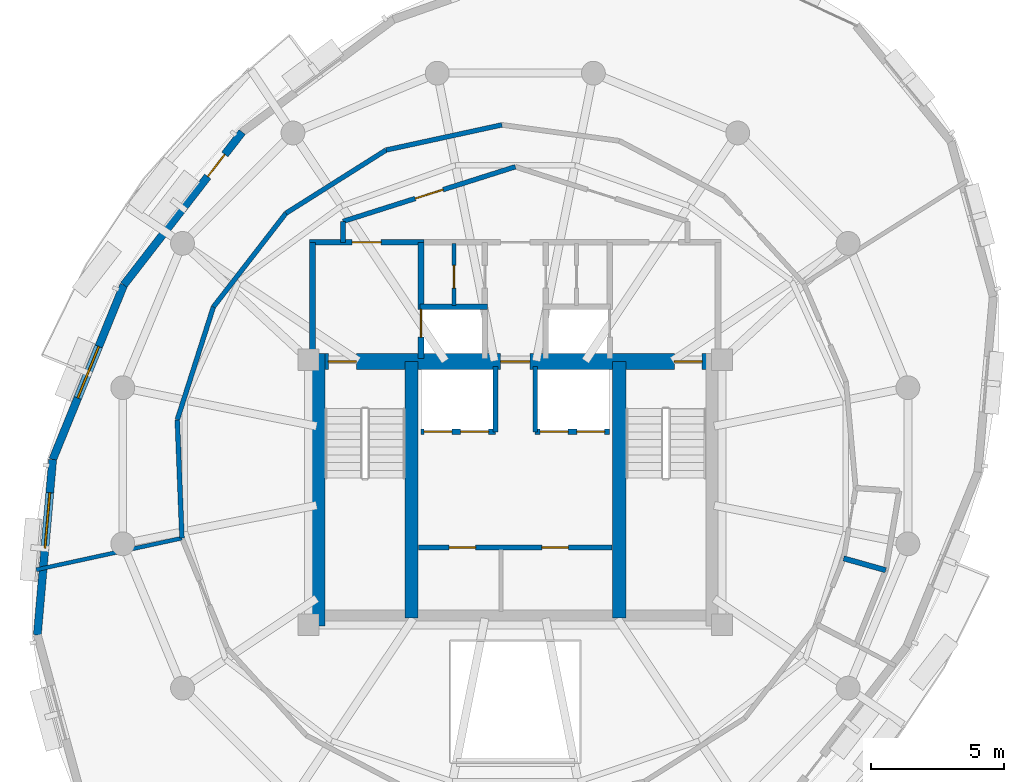
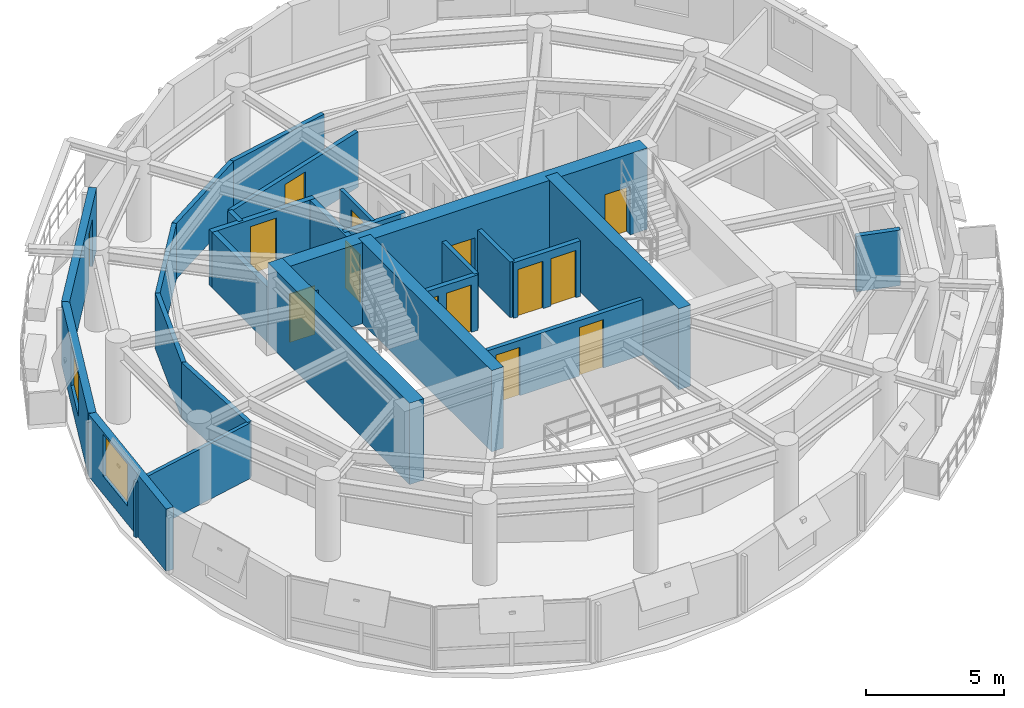
# One storey, part 7 of 11: 26 walls, 14 doors, 2 windows, 16 openings.
"""IFC4 building model written with IfcOpenShell, lengths in metres."""

from ifc_helpers import new_model, si_unit, direction, frame, frame_2d, origin, place, context, subcontext, project, spatial, rectangle, extrude, material, layer, layer_set, type_object, element, fill, save


model = new_model("IFC4")

# Units and contexts
model_context = context("Model", 3, precision=1e-05, world=origin(), true_north=direction((0.0, 1.0)))
body_context = subcontext(model_context, "Body", "Model", "MODEL_VIEW")
ifc_project = project(units=[si_unit("LENGTHUNIT", "METRE"), si_unit("AREAUNIT", "SQUARE_METRE"), si_unit("VOLUMEUNIT", "CUBIC_METRE"), si_unit("PLANEANGLEUNIT", "RADIAN"), si_unit("MASSUNIT", "GRAM", prefix="KILO"), si_unit("THERMODYNAMICTEMPERATUREUNIT", "KELVIN"), si_unit("POWERUNIT", "WATT")], contexts=[model_context])

# Site, building, storey
site_placement = place(None, origin())
site = spatial("IfcSite", under=ifc_project, at=site_placement, CompositionType="ELEMENT")
building_placement = place(site_placement, origin())
building = spatial("IfcBuilding", under=site, at=building_placement, Name="Ocrelia Relay Tower", CompositionType="ELEMENT")
storey_placement = place(building_placement, frame((0.0, 0.0, 248.39990234375)))
storey = spatial("IfcBuildingStorey", under=building, at=storey_placement, Name="L61", CompositionType="ELEMENT", Elevation=248.39990234375)

# Wall, openings, doors
ifc_material_1 = material(Name="Concrete C50/60", Category="concrete")
ifc_layer_1 = layer(ifc_material_1, 0.60009765625, Name="Concrete C50/60")
ifc_layer_set_1 = layer_set([ifc_layer_1], Name="Concrete C50/60")
wall_type_1 = type_object("IfcWallType", Name="CW-CORE-600B", PredefinedType="SHEAR", material=ifc_layer_set_1)
wall_1_placement = place(storey_placement, frame((26.221923828125, 29.93798828125, 0.0), z_axis=(0.0, 0.0, 1.0), x_axis=(1.0, 0.0, 0.0)))
wall_1 = element("IfcWall", 1, at=wall_1_placement, inside=storey, type_object=wall_type_1, Name="L61 Core Shear Wall N", PredefinedType="SHEAR", context=body_context, shape_type="SweptSolid", body=[
    extrude(rectangle(XDim=15.566162109375, YDim=0.60009765625, at=frame_2d((7.783203125, 0.0))), origin(), (0.0, 0.0, 1.0), 3.60009765625),
])
opening_1_placement = place(wall_1_placement, frame((0.72802734375, 0.0, 0.0)))
opening_1 = element("IfcOpeningElement", 2, at=opening_1_placement, cuts=wall_1, Name="Opening D-FD90", PredefinedType="OPENING", context=body_context, shape_type="SweptSolid", body=[
    extrude(rectangle(XDim=1.050048828125, YDim=2.14990234375, at=frame_2d((0.52490234375, 1.074951171875))), frame((0.0, 0.31005859375, 0.0), z_axis=(0.0, -1.0, 0.0), x_axis=(1.0, 0.0, 0.0)), (0.0, 0.0, 1.0), 0.6201171875),
])
opening_2_placement = place(wall_1_placement, frame((13.778076171875, 0.0, 0.0)))
opening_2 = element("IfcOpeningElement", 3, at=opening_2_placement, cuts=wall_1, Name="Opening D-FD90", PredefinedType="OPENING", context=body_context, shape_type="SweptSolid", body=[
    extrude(rectangle(XDim=1.050048828125, YDim=2.14990234375, at=frame_2d((0.52490234375, 1.074951171875))), frame((0.0, 0.31005859375, 0.0), z_axis=(0.0, -1.0, 0.0), x_axis=(1.0, 0.0, 0.0)), (0.0, 0.0, 1.0), 0.6201171875),
])
opening_3_placement = place(wall_1_placement, frame((7.22802734375, 0.0, 0.0)))
opening_3 = element("IfcOpeningElement", 4, at=opening_3_placement, cuts=wall_1, Name="Opening D-FD60", PredefinedType="OPENING", context=body_context, shape_type="SweptSolid", body=[
    extrude(rectangle(XDim=1.10009765625, YDim=2.14990234375, at=frame_2d((0.550048828125, 1.074951171875))), frame((0.0, 0.31005859375, 0.0), z_axis=(0.0, -1.0, 0.0), x_axis=(1.0, 0.0, 0.0)), (0.0, 0.0, 1.0), 0.6201171875),
])
ifc_material_2 = material(Name="Timber-core 60-min acoustic fire door", Category="wood")
door_type_1 = type_object("IfcDoorType", Name="DR-LOBBY-FD60-1100", OperationType="NOTDEFINED", PredefinedType="DOOR", material=ifc_material_2)
door_1_placement = place(opening_3_placement, origin())
door_1 = element("IfcDoor", 5, at=door_1_placement, inside=storey, type_object=door_type_1, Name="L61 Core Lift Lobby North Fire Door", OperationType="SINGLE_SWING_RIGHT", OverallHeight=2.14990234375, OverallWidth=1.10009765625, PredefinedType="DOOR", context=body_context, shape_type="SweptSolid", body=[
    extrude(rectangle(XDim=1.10009765625, YDim=2.14990234375, at=frame_2d((0.550048828125, 1.074951171875))), frame((0.0, 0.02490234375, 0.0), z_axis=(0.0, -1.0, 0.0), x_axis=(1.0, 0.0, 0.0)), (0.0, 0.0, 1.0), 0.050048828125),
])
fill(opening_3, door_1)
ifc_material_3 = material(Name="Steel S355 90-min fire door", Category="steel")
door_type_2 = type_object("IfcDoorType", Name="DR-STAIR-FD90-1050", OperationType="NOTDEFINED", PredefinedType="DOOR", material=ifc_material_3)
door_2_placement = place(opening_1_placement, origin())
door_2 = element("IfcDoor", 6, at=door_2_placement, inside=storey, type_object=door_type_2, Name="L61 Stair ST1 Fire Door", OperationType="SINGLE_SWING_RIGHT", OverallHeight=2.14990234375, OverallWidth=1.050048828125, PredefinedType="DOOR", context=body_context, shape_type="SweptSolid", body=[
    extrude(rectangle(XDim=1.050048828125, YDim=2.14990234375, at=frame_2d((0.52490234375, 1.074951171875))), frame((0.0, 0.02490234375, 0.0), z_axis=(0.0, -1.0, 0.0), x_axis=(1.0, 0.0, 0.0)), (0.0, 0.0, 1.0), 0.050048828125),
])
fill(opening_1, door_2)
door_3_placement = place(opening_2_placement, origin())
door_3 = element("IfcDoor", 7, at=door_3_placement, inside=storey, type_object=door_type_2, Name="L61 Stair ST2 Fire Door", OperationType="SINGLE_SWING_LEFT", OverallHeight=2.14990234375, OverallWidth=1.050048828125, PredefinedType="DOOR", context=body_context, shape_type="SweptSolid", body=[
    extrude(rectangle(XDim=1.050048828125, YDim=2.14990234375, at=frame_2d((0.52490234375, 1.074951171875))), frame((0.0, 0.02490234375, 0.0), z_axis=(0.0, -1.0, 0.0), x_axis=(1.0, 0.0, 0.0)), (0.0, 0.0, 1.0), 0.050048828125),
])
fill(opening_2, door_3)

# Walls
wall_2_placement = place(storey_placement, frame((26.52197265625, 19.9619140625, 0.0), z_axis=(0.0, 0.0, 1.0), x_axis=(0.0, 1.0, 0.0)))
element("IfcWall", 8, at=wall_2_placement, inside=storey, type_object=wall_type_1, Name="L61 Core Shear Wall W", PredefinedType="SHEAR", context=body_context, shape_type="SweptSolid", body=[
    extrude(rectangle(XDim=10.276123046875, YDim=0.60009765625, at=frame_2d((5.13818359375, 0.0))), origin(), (0.0, 0.0, 1.0), 3.60009765625),
])
for number, where, z_axis, x_axis, name in (
    (9, (30.087890625, 20.261962890625, 0.0), (0.0, 0.0, 1.0), (0.0, 1.0, 0.0), "L61 Core Shear Wall SPW"),
    (10, (37.922119140625, 20.261962890625, 0.0), (0.0, 0.0, 1.0), (0.0, 1.0, 0.0), "L61 Core Shear Wall SPE"),
):
    element("IfcWall", number, at=place(storey_placement, frame(where, z_axis=z_axis, x_axis=x_axis)), inside=storey, type_object=wall_type_1, Name=name, PredefinedType="SHEAR", context=body_context, shape_type="SweptSolid", body=[
        extrude(rectangle(XDim=9.676025390625, YDim=0.5, at=frame_2d((4.837890625, 0.0))), origin(), (0.0, 0.0, 1.0), 3.60009765625),
    ])

# Wall, openings, doors
ifc_material_4 = material(Name="Gypsum Fireboard Partition EI60", Category="gypsum")
ifc_layer_2 = layer(ifc_material_4, 0.179931640625, Name="Gypsum Fireboard Partition EI60")
ifc_layer_set_2 = layer_set([ifc_layer_2], Name="Gypsum Fireboard Partition EI60")
wall_type_2 = type_object("IfcWallType", Name="W-CORR-EI60-180", PredefinedType="PARTITIONING", material=ifc_layer_set_2)
wall_3_placement = place(storey_placement, frame((30.35009765625, 22.919921875, 0.0), z_axis=(0.0, 0.0, 1.0), x_axis=(1.0, 0.0, 0.0)))
wall_3 = element("IfcWall", 11, at=wall_3_placement, inside=storey, type_object=wall_type_2, Name="L61 Reclaimed Core Room Partition", PredefinedType="PARTITIONING", context=body_context, shape_type="SweptSolid", body=[
    extrude(rectangle(XDim=7.2998046875, YDim=0.179931640625, at=frame_2d((3.64990234375, 0.0))), origin(), (0.0, 0.0, 1.0), 2.460205078125),
])
opening_4_placement = place(wall_3_placement, frame((1.14990234375, 0.0, 0.0)))
opening_4 = element("IfcOpeningElement", 12, at=opening_4_placement, cuts=wall_3, Name="Opening D-RM100", PredefinedType="OPENING", context=body_context, shape_type="SweptSolid", body=[
    extrude(rectangle(XDim=1.0, YDim=2.14990234375, at=frame_2d((0.5, 1.074951171875))), frame((0.0, 0.10009765625, 0.0), z_axis=(0.0, -1.0, 0.0), x_axis=(1.0, 0.0, 0.0)), (0.0, 0.0, 1.0), 0.199951171875),
])
opening_5_placement = place(wall_3_placement, frame((4.64990234375, 0.0, 0.0)))
opening_5 = element("IfcOpeningElement", 13, at=opening_5_placement, cuts=wall_3, Name="Opening D-RM100", PredefinedType="OPENING", context=body_context, shape_type="SweptSolid", body=[
    extrude(rectangle(XDim=1.0, YDim=2.14990234375, at=frame_2d((0.5, 1.074951171875))), frame((0.0, 0.10009765625, 0.0), z_axis=(0.0, -1.0, 0.0), x_axis=(1.0, 0.0, 0.0)), (0.0, 0.0, 1.0), 0.199951171875),
])
ifc_material_5 = material(Name="Acoustic oak veneer fire door", Category="wood")
door_type_3 = type_object("IfcDoorType", Name="DR-ROOM-FD60-1000", OperationType="NOTDEFINED", PredefinedType="DOOR", material=ifc_material_5)
door_4_placement = place(opening_4_placement, origin())
door_4 = element("IfcDoor", 14, at=door_4_placement, inside=storey, type_object=door_type_3, Name="L61 Reclaimed Core Room 1 Door", OperationType="SINGLE_SWING_RIGHT", OverallHeight=2.14990234375, OverallWidth=1.0, PredefinedType="DOOR", context=body_context, shape_type="SweptSolid", body=[
    extrude(rectangle(XDim=1.0, YDim=2.14990234375, at=frame_2d((0.5, 1.074951171875))), frame((0.0, 0.02490234375, 0.0), z_axis=(0.0, -1.0, 0.0), x_axis=(1.0, 0.0, 0.0)), (0.0, 0.0, 1.0), 0.050048828125),
])
fill(opening_4, door_4)
door_5_placement = place(opening_5_placement, origin())
door_5 = element("IfcDoor", 15, at=door_5_placement, inside=storey, type_object=door_type_3, Name="L61 Reclaimed Core Room 2 Door", OperationType="SINGLE_SWING_LEFT", OverallHeight=2.14990234375, OverallWidth=1.0, PredefinedType="DOOR", context=body_context, shape_type="SweptSolid", body=[
    extrude(rectangle(XDim=1.0, YDim=2.14990234375, at=frame_2d((0.5, 1.074951171875))), frame((0.0, 0.02490234375, 0.0), z_axis=(0.0, -1.0, 0.0), x_axis=(1.0, 0.0, 0.0)), (0.0, 0.0, 1.0), 0.050048828125),
])
fill(opening_5, door_5)

# Wall
wall_4_placement = place(storey_placement, frame((27.5, 34.429931640625, 0.0), z_axis=(0.0, 0.0, 1.0), x_axis=(0.0, 1.0, 0.0)))
element("IfcWall", 16, at=wall_4_placement, inside=storey, type_object=wall_type_2, Name="L61 Smoke Lobby West Return", PredefinedType="PARTITIONING", context=body_context, shape_type="SweptSolid", body=[
    extrude(rectangle(XDim=0.7890625, YDim=0.179931640625, at=frame_2d((0.39453125, 0.0))), origin(), (0.0, 0.0, 1.0), 2.460205078125),
])

# Wall, opening, door
wall_5_placement = place(storey_placement, frame((27.5, 35.218994140625, 0.0), z_axis=(0.0, 0.0, 1.0), x_axis=(0.953228121756, 0.302251795518, 0.0)))
wall_5 = element("IfcWall", 17, at=wall_5_placement, inside=storey, type_object=wall_type_2, Name="L61 North Smoke Lobby W Screen Wall", PredefinedType="PARTITIONING", context=body_context, shape_type="SweptSolid", body=[
    extrude(rectangle(XDim=6.81884765625, YDim=0.179931640625, at=frame_2d((3.409423828125, 0.0))), origin(), (0.0, 0.0, 1.0), 2.460205078125),
])
opening_6_placement = place(wall_5_placement, frame((2.859619140625, 0.0, 0.0)))
opening_6 = element("IfcOpeningElement", 18, at=opening_6_placement, cuts=wall_5, Name="Opening D-FD60", PredefinedType="OPENING", context=body_context, shape_type="SweptSolid", body=[
    extrude(rectangle(XDim=1.10009765625, YDim=2.14990234375, at=frame_2d((0.550048828125, 1.074951171875))), frame((0.0, 0.10009765625, 0.0), z_axis=(0.0, -1.0, 0.0), x_axis=(1.0, 0.0, 0.0)), (0.0, 0.0, 1.0), 0.199951171875),
])
door_6_placement = place(opening_6_placement, origin())
door_6 = element("IfcDoor", 19, at=door_6_placement, inside=storey, type_object=door_type_1, Name="L61 North Smoke Lobby W Fire Door", OperationType="SINGLE_SWING_RIGHT", OverallHeight=2.14990234375, OverallWidth=1.10009765625, PredefinedType="DOOR", context=body_context, shape_type="SweptSolid", body=[
    extrude(rectangle(XDim=1.10009765625, YDim=2.14990234375, at=frame_2d((0.550048828125, 1.074951171875))), frame((0.0, 0.02490234375, 0.0), z_axis=(0.0, -1.0, 0.0), x_axis=(1.0, 0.0, 0.0)), (0.0, 0.0, 1.0), 0.050048828125),
])
fill(opening_6, door_6)

# Walls
wall_6_placement = place(storey_placement, frame((33.49462890625, 38.860107421875, 0.0), z_axis=(0.0, 0.0, 1.0), x_axis=(-0.977225634609, -0.212202872419, 0.0)))
element("IfcWall", 20, at=wall_6_placement, inside=storey, type_object=wall_type_2, Name="L61 Executive Club and Forum Hall Corridor Partition 4", PredefinedType="PARTITIONING", context=body_context, shape_type="SweptSolid", body=[
    extrude(rectangle(XDim=4.4697265625, YDim=0.179931640625, at=frame_2d((2.23486328125, 0.0))), origin(), (0.0, 0.0, 1.0), 2.460205078125),
])
wall_7_placement = place(storey_placement, frame((29.126708984375, 37.91162109375, 0.0), z_axis=(0.0, 0.0, 1.0), x_axis=(-0.845728942712, -0.533612739221, 0.0)))
element("IfcWall", 21, at=wall_7_placement, inside=storey, type_object=wall_type_2, Name="L61 Executive Club and Forum Hall Corridor Partition 5", PredefinedType="PARTITIONING", context=body_context, shape_type="SweptSolid", body=[
    extrude(rectangle(XDim=4.469482421875, YDim=0.179931640625, at=frame_2d((2.23486328125, 0.0))), origin(), (0.0, 0.0, 1.0), 2.460205078125),
])
wall_8_placement = place(storey_placement, frame((25.3466796875, 35.526611328125, 0.0), z_axis=(0.0, 0.0, 1.0), x_axis=(-0.612233781192, -0.790676796907, 0.0)))
element("IfcWall", 22, at=wall_8_placement, inside=storey, type_object=wall_type_2, Name="L61 Executive Club and Forum Hall Corridor Partition 6", PredefinedType="PARTITIONING", context=body_context, shape_type="SweptSolid", body=[
    extrude(rectangle(XDim=4.4697265625, YDim=0.179931640625, at=frame_2d((2.23486328125, 0.0))), origin(), (0.0, 0.0, 1.0), 2.460205078125),
])
wall_9_placement = place(storey_placement, frame((22.610107421875, 31.992431640625, 0.0), z_axis=(0.0, 0.0, 1.0), x_axis=(-0.304849058507, -0.952400678038, 0.0)))
element("IfcWall", 23, at=wall_9_placement, inside=storey, type_object=wall_type_2, Name="L61 Executive Club and Forum Hall Corridor Partition 7", PredefinedType="PARTITIONING", context=body_context, shape_type="SweptSolid", body=[
    extrude(rectangle(XDim=4.469482421875, YDim=0.179931640625, at=frame_2d((2.23486328125, 0.0))), origin(), (0.0, 0.0, 1.0), 2.460205078125),
])
wall_10_placement = place(storey_placement, frame((21.24755859375, 27.735595703125, 0.0), z_axis=(0.0, 0.0, 1.0), x_axis=(0.039272183646, -0.999228550228, 0.0)))
element("IfcWall", 24, at=wall_10_placement, inside=storey, type_object=wall_type_2, Name="L61 Executive Club and Forum Hall Corridor Partition 8", PredefinedType="PARTITIONING", context=body_context, shape_type="SweptSolid", body=[
    extrude(rectangle(XDim=4.4697265625, YDim=0.179931640625, at=frame_2d((2.23486328125, 0.0))), origin(), (0.0, 0.0, 1.0), 2.460205078125),
])

# Wall, opening, door
ifc_material_6 = material(Name="Precast concrete C40/50 with oxide terracotta", Category="masonry")
ifc_layer_3 = layer(ifc_material_6, 0.300048828125, Name="Precast concrete C40/50 with oxide terracotta")
ifc_layer_set_3 = layer_set([ifc_layer_3], Name="Precast concrete C40/50 with oxide terracotta")
wall_type_3 = type_object("IfcWallType", Name="W-EXT-TERR-300", PredefinedType="SOLIDWALL", material=ifc_layer_set_3)
wall_11_placement = place(storey_placement, frame((23.69580078125, 38.59033203125, 0.0), z_axis=(0.0, 0.0, 1.0), x_axis=(-0.612210325416, -0.790694958536, 0.0)))
wall_11 = element("IfcWall", 25, at=wall_11_placement, inside=storey, type_object=wall_type_3, Name="L61 Oxide Terracotta Facade Wall 05", PredefinedType="SOLIDWALL", context=body_context, shape_type="SweptSolid", body=[
    extrude(rectangle(XDim=7.29345703125, YDim=0.300048828125, at=frame_2d((3.646728515625, 0.0))), origin(), (0.0, 0.0, 1.0), 2.760009765625),
])
opening_7_placement = place(wall_11_placement, frame((1.070068359375, 0.0, 0.0)))
opening_7 = element("IfcOpeningElement", 26, at=opening_7_placement, cuts=wall_11, Name="Opening DB-105", PredefinedType="OPENING", context=body_context, shape_type="SweptSolid", body=[
    extrude(rectangle(XDim=1.050048828125, YDim=2.14990234375, at=frame_2d((0.52490234375, 1.074951171875))), frame((0.0, 0.16015625, 0.0), z_axis=(0.0, -1.0, 0.0), x_axis=(1.0, 0.0, 0.0)), (0.0, 0.0, 1.0), 0.320068359375),
])
ifc_material_7 = material(Name="Thermally broken aluminium and clear glass", Category="aluminium")
door_type_4 = type_object("IfcDoorType", Name="DR-BALC-1050", OperationType="NOTDEFINED", PredefinedType="DOOR", material=ifc_material_7)
door_7_placement = place(opening_7_placement, origin())
door_7 = element("IfcDoor", 27, at=door_7_placement, inside=storey, type_object=door_type_4, Name="L61 Planted Loggia Balcony Door B1", OperationType="SINGLE_SWING_LEFT", OverallHeight=2.14990234375, OverallWidth=1.050048828125, PredefinedType="DOOR", context=body_context, shape_type="SweptSolid", body=[
    extrude(rectangle(XDim=1.050048828125, YDim=2.14990234375, at=frame_2d((0.52490234375, 1.074951171875))), frame((0.0, 0.02490234375, 0.0), z_axis=(0.0, -1.0, 0.0), x_axis=(1.0, 0.0, 0.0)), (0.0, 0.0, 1.0), 0.050048828125),
])
fill(opening_7, door_7)

# Wall, opening, window
wall_12_placement = place(storey_placement, frame((19.230712890625, 32.823486328125, 0.0), z_axis=(0.0, 0.0, 1.0), x_axis=(-0.377169360189, -0.926144305027, 0.0)))
wall_12 = element("IfcWall", 28, at=wall_12_placement, inside=storey, type_object=wall_type_3, Name="L61 Oxide Terracotta Facade Wall 06", PredefinedType="SOLIDWALL", context=body_context, shape_type="SweptSolid", body=[
    extrude(rectangle(XDim=7.114990234375, YDim=0.300048828125, at=frame_2d((3.5576171875, 0.0))), origin(), (0.0, 0.0, 1.0), 2.760009765625),
])
opening_8_placement = place(wall_12_placement, frame((2.508056640625, 0.0, 0.800048828125)))
opening_8 = element("IfcOpeningElement", 29, at=opening_8_placement, cuts=wall_12, Name="Opening W-07", PredefinedType="OPENING", context=body_context, shape_type="SweptSolid", body=[
    extrude(rectangle(XDim=2.10009765625, YDim=1.85009765625, at=frame_2d((1.050048828125, 0.925048828125))), frame((0.0, 0.16015625, 0.0), z_axis=(0.0, -1.0, 0.0), x_axis=(1.0, 0.0, 0.0)), (0.0, 0.0, 1.0), 0.320068359375),
])
ifc_material_8 = material(Name="Clear double-glazed low-E glass", Category="glass")
window_type = type_object("IfcWindowType", Name="WIN-Z4-2100x2200", PartitioningType="DOUBLE_PANEL_VERTICAL", PredefinedType="WINDOW", material=ifc_material_8)
window_1_placement = place(opening_8_placement, origin())
window_1 = element("IfcWindow", 30, at=window_1_placement, inside=storey, type_object=window_type, Name="L61 Facade Module Window 06", OverallHeight=1.85009765625, OverallWidth=2.10009765625, PartitioningType="SINGLE_PANEL", PredefinedType="WINDOW", context=body_context, shape_type="SweptSolid", body=[
    extrude(rectangle(XDim=2.10009765625, YDim=1.85009765625, at=frame_2d((1.050048828125, 0.925048828125))), frame((0.0, 0.030029296875, 0.0), z_axis=(0.0, -1.0, 0.0), x_axis=(1.0, 0.0, 0.0)), (0.0, 0.0, 1.0), 0.06005859375),
])
fill(opening_8, window_1)

wall_13_placement = place(storey_placement, frame((16.547119140625, 26.23388671875, 0.0), z_axis=(0.0, 0.0, 1.0), x_axis=(-0.087099022081, -0.99619965888, 0.0)))
wall_13 = element("IfcWall", 31, at=wall_13_placement, inside=storey, type_object=wall_type_3, Name="L61 Oxide Terracotta Facade Wall 07", PredefinedType="SOLIDWALL", context=body_context, shape_type="SweptSolid", body=[
    extrude(rectangle(XDim=6.64306640625, YDim=0.300048828125, at=frame_2d((3.321533203125, 0.0))), origin(), (0.0, 0.0, 1.0), 2.760009765625),
])
opening_9_placement = place(wall_13_placement, frame((1.2509765625, 0.0, 0.800048828125)))
opening_9 = element("IfcOpeningElement", 32, at=opening_9_placement, cuts=wall_13, Name="Opening W-07", PredefinedType="OPENING", context=body_context, shape_type="SweptSolid", body=[
    extrude(rectangle(XDim=2.10009765625, YDim=1.85009765625, at=frame_2d((1.050048828125, 0.925048828125))), frame((0.0, 0.16015625, 0.0), z_axis=(0.0, -1.0, 0.0), x_axis=(1.0, 0.0, 0.0)), (0.0, 0.0, 1.0), 0.320068359375),
])
window_2_placement = place(opening_9_placement, origin())
window_2 = element("IfcWindow", 33, at=window_2_placement, inside=storey, type_object=window_type, Name="L61 Facade Module Window 07", OverallHeight=1.85009765625, OverallWidth=2.10009765625, PartitioningType="SINGLE_PANEL", PredefinedType="WINDOW", context=body_context, shape_type="SweptSolid", body=[
    extrude(rectangle(XDim=2.10009765625, YDim=1.85009765625, at=frame_2d((1.050048828125, 0.925048828125))), frame((0.0, 0.030029296875, 0.0), z_axis=(0.0, -1.0, 0.0), x_axis=(1.0, 0.0, 0.0)), (0.0, 0.0, 1.0), 0.06005859375),
])
fill(opening_9, window_2)

# Wall
ifc_layer_4 = layer(ifc_material_1, 0.219970703125, Name="Concrete C50/60")
ifc_layer_set_4 = layer_set([ifc_layer_4], Name="Concrete C50/60")
wall_type_4 = type_object("IfcWallType", Name="W-FFL-EI120-220", PredefinedType="SOLIDWALL", material=ifc_layer_set_4)
wall_14_placement = place(storey_placement, frame((26.35009765625, 30.050048828125, 0.0), z_axis=(0.0, 0.0, 1.0), x_axis=(0.0, 1.0, 0.0)))
element("IfcWall", 34, at=wall_14_placement, inside=storey, type_object=wall_type_4, Name="L61 W Fire Service Lift Lobby West Wall", PredefinedType="SOLIDWALL", context=body_context, shape_type="SweptSolid", body=[
    extrude(rectangle(XDim=4.3798828125, YDim=0.219970703125, at=frame_2d((2.18994140625, 0.0))), origin(), (0.0, 0.0, 1.0), 2.460205078125),
])

# Wall, opening, door
wall_15_placement = place(storey_placement, frame((30.43994140625, 30.050048828125, 0.0), z_axis=(0.0, 0.0, 1.0), x_axis=(0.0, 1.0, 0.0)))
wall_15 = element("IfcWall", 35, at=wall_15_placement, inside=storey, type_object=wall_type_4, Name="L61 W Fire Service Lift Lobby East Wall", PredefinedType="SOLIDWALL", context=body_context, shape_type="SweptSolid", body=[
    extrude(rectangle(XDim=4.3798828125, YDim=0.219970703125, at=frame_2d((2.18994140625, 0.0))), origin(), (0.0, 0.0, 1.0), 2.460205078125),
])
opening_10_placement = place(wall_15_placement, frame((0.800048828125, 0.0, 0.0)))
opening_10 = element("IfcOpeningElement", 36, at=opening_10_placement, cuts=wall_15, Name="Opening LD-FFL1", PredefinedType="OPENING", context=body_context, shape_type="SweptSolid", body=[
    extrude(rectangle(XDim=1.050048828125, YDim=2.10009765625, at=frame_2d((0.52490234375, 1.050048828125))), frame((0.0, 0.1201171875, 0.0), z_axis=(0.0, -1.0, 0.0), x_axis=(1.0, 0.0, 0.0)), (0.0, 0.0, 1.0), 0.239990234375),
])
ifc_material_9 = material(Name="Brushed stainless steel S355 lift landing door", Category="steel")
door_type_5 = type_object("IfcDoorType", Name="DR-LIFT-LAND-1050", OperationType="DOUBLE_DOOR_SLIDING", PredefinedType="USERDEFINED", material=ifc_material_9)
door_8_placement = place(opening_10_placement, origin())
door_8 = element("IfcDoor", 37, at=door_8_placement, inside=storey, type_object=door_type_5, Name="L61 Firefighting Lift FFL1 Sliding Landing Door", ObjectType="LANDING DOOR", OperationType="DOUBLE_DOOR_SLIDING", OverallHeight=2.10009765625, OverallWidth=1.050048828125, PredefinedType="USERDEFINED", context=body_context, shape_type="SweptSolid", body=[
    extrude(rectangle(XDim=1.050048828125, YDim=2.10009765625, at=frame_2d((0.52490234375, 1.050048828125))), frame((0.0, 0.02490234375, 0.0), z_axis=(0.0, -1.0, 0.0), x_axis=(1.0, 0.0, 0.0)), (0.0, 0.0, 1.0), 0.050048828125),
])
fill(opening_10, door_8)

wall_16_placement = place(storey_placement, frame((26.239990234375, 34.429931640625, 0.0), z_axis=(0.0, 0.0, 1.0), x_axis=(1.0, 0.0, 0.0)))
wall_16 = element("IfcWall", 38, at=wall_16_placement, inside=storey, type_object=wall_type_4, Name="L61 W Fire Service Lift Lobby North Wall", PredefinedType="SOLIDWALL", context=body_context, shape_type="SweptSolid", body=[
    extrude(rectangle(XDim=4.31005859375, YDim=0.219970703125, at=frame_2d((2.155029296875, 0.0))), origin(), (0.0, 0.0, 1.0), 2.460205078125),
])
opening_11_placement = place(wall_16_placement, frame((1.60009765625, 0.0, 0.0)))
opening_11 = element("IfcOpeningElement", 39, at=opening_11_placement, cuts=wall_16, Name="Opening D-FD60", PredefinedType="OPENING", context=body_context, shape_type="SweptSolid", body=[
    extrude(rectangle(XDim=1.10009765625, YDim=2.14990234375, at=frame_2d((0.550048828125, 1.074951171875))), frame((0.0, 0.1201171875, 0.0), z_axis=(0.0, -1.0, 0.0), x_axis=(1.0, 0.0, 0.0)), (0.0, 0.0, 1.0), 0.239990234375),
])
door_9_placement = place(opening_11_placement, origin())
door_9 = element("IfcDoor", 40, at=door_9_placement, inside=storey, type_object=door_type_1, Name="L61 W Fire Service Lift Lobby Exit Door", OperationType="SINGLE_SWING_LEFT", OverallHeight=2.14990234375, OverallWidth=1.10009765625, PredefinedType="DOOR", context=body_context, shape_type="SweptSolid", body=[
    extrude(rectangle(XDim=1.10009765625, YDim=2.14990234375, at=frame_2d((0.550048828125, 1.074951171875))), frame((0.0, 0.02490234375, 0.0), z_axis=(0.0, -1.0, 0.0), x_axis=(1.0, 0.0, 0.0)), (0.0, 0.0, 1.0), 0.050048828125),
])
fill(opening_11, door_9)

ifc_material_10 = material(Name="Acoustic Fireboard Partition EI60", Category="gypsum")
ifc_layer_5 = layer(ifc_material_10, 0.14990234375, Name="Acoustic Fireboard Partition EI60")
ifc_layer_set_5 = layer_set([ifc_layer_5], Name="Acoustic Fireboard Partition EI60")
wall_type_5 = type_object("IfcWallType", Name="W-PART-150", PredefinedType="PARTITIONING", material=ifc_layer_set_5)
wall_17_placement = place(storey_placement, frame((31.68994140625, 32.050048828125, 0.0), z_axis=(0.0, 0.0, 1.0), x_axis=(0.0, 1.0, 0.0)))
wall_17 = element("IfcWall", 41, at=wall_17_placement, inside=storey, type_object=wall_type_5, Name="L61 West Core Support Partition", PredefinedType="PARTITIONING", context=body_context, shape_type="SweptSolid", body=[
    extrude(rectangle(XDim=2.329833984375, YDim=0.14990234375, at=frame_2d((1.1650390625, 0.0))), origin(), (0.0, 0.0, 1.0), 2.460205078125),
])
opening_12_placement = place(wall_17_placement, frame((0.64990234375, 0.0, 0.0)))
opening_12 = element("IfcOpeningElement", 42, at=opening_12_placement, cuts=wall_17, Name="Opening D-RS86", PredefinedType="OPENING", context=body_context, shape_type="SweptSolid", body=[
    extrude(rectangle(XDim=0.860107421875, YDim=2.050048828125, at=frame_2d((0.43017578125, 1.02490234375))), frame((0.0, 0.0849609375, 0.0), z_axis=(0.0, -1.0, 0.0), x_axis=(1.0, 0.0, 0.0)), (0.0, 0.0, 1.0), 0.169921875),
])
ifc_material_11 = material(Name="Steel S355 riser access fire door", Category="steel")
door_type_6 = type_object("IfcDoorType", Name="DR-RISER-TRAP-860", OperationType="NOTDEFINED", PredefinedType="TRAPDOOR", material=ifc_material_11)
door_10_placement = place(opening_12_placement, origin())
door_10 = element("IfcDoor", 43, at=door_10_placement, inside=storey, type_object=door_type_6, Name="L61 West Core Store Connecting Door", OperationType="SINGLE_SWING_RIGHT", OverallHeight=2.050048828125, OverallWidth=0.860107421875, PredefinedType="TRAPDOOR", context=body_context, shape_type="SweptSolid", body=[
    extrude(rectangle(XDim=0.860107421875, YDim=2.050048828125, at=frame_2d((0.43017578125, 1.02490234375))), frame((0.0, 0.02490234375, 0.0), z_axis=(0.0, -1.0, 0.0), x_axis=(1.0, 0.0, 0.0)), (0.0, 0.0, 1.0), 0.050048828125),
])
fill(opening_12, door_10)

# Walls
wall_18_placement = place(storey_placement, frame((21.423095703125, 23.269287109375, 0.0), z_axis=(0.0, 0.0, 1.0), x_axis=(-0.977233167616, -0.212168178836, 0.0)))
element("IfcWall", 44, at=wall_18_placement, inside=storey, type_object=wall_type_5, Name="L61 Executive Club and Forum Hall Radial Partition", PredefinedType="PARTITIONING", context=body_context, shape_type="SweptSolid", body=[
    extrude(rectangle(XDim=5.62109375, YDim=0.14990234375, at=frame_2d((2.810546875, 0.0))), origin(), (0.0, 0.0, 1.0), 2.460205078125),
])
ifc_material_12 = material(Name="Moisture-Resistant Fireboard Chase Wall EI60", Category="gypsum")
ifc_layer_6 = layer(ifc_material_12, 0.199951171875, Name="Moisture-Resistant Fireboard Chase Wall EI60")
ifc_layer_set_6 = layer_set([ifc_layer_6], Name="Moisture-Resistant Fireboard Chase Wall EI60")
wall_type_6 = type_object("IfcWallType", Name="W-PLUMB-200", PredefinedType="PLUMBINGWALL", material=ifc_layer_set_6)
wall_19_placement = place(storey_placement, frame((46.38671875, 22.506591796875, 0.0), z_axis=(0.0, 0.0, 1.0), x_axis=(0.962439763699, -0.271495306132, 0.0)))
element("IfcWall", 45, at=wall_19_placement, inside=storey, type_object=wall_type_6, Name="L61 Staff Toilet Plumbing Radial Wall", PredefinedType="PLUMBINGWALL", context=body_context, shape_type="SweptSolid", body=[
    extrude(rectangle(XDim=1.650146484375, YDim=0.199951171875, at=frame_2d((0.8251953125, 0.0))), origin(), (0.0, 0.0, 1.0), 2.460205078125),
])
ifc_layer_7 = layer(ifc_material_1, 0.199951171875, Name="Concrete C50/60")
ifc_layer_set_7 = layer_set([ifc_layer_7], Name="Concrete C50/60")
wall_type_7 = type_object("IfcWallType", Name="W-SHAFT-EI120-200", PredefinedType="SOLIDWALL", material=ifc_layer_set_7)
wall_20_placement = place(storey_placement, frame((30.39990234375, 32.0, 0.0), z_axis=(0.0, 0.0, 1.0), x_axis=(1.0, 0.0, 0.0)))
element("IfcWall", 46, at=wall_20_placement, inside=storey, type_object=wall_type_7, Name="L61 FFL1 Hoistway North Wall", PredefinedType="SOLIDWALL", context=body_context, shape_type="SweptSolid", body=[
    extrude(rectangle(XDim=2.550048828125, YDim=0.199951171875, at=frame_2d((1.27490234375, 0.0))), origin(), (0.0, 0.0, 1.0), 2.460205078125),
])

# Wall, openings, doors
wall_21_placement = place(storey_placement, frame((30.43994140625, 27.280029296875, 0.0), z_axis=(0.0, 0.0, 1.0), x_axis=(1.0, 0.0, 0.0)))
wall_21 = element("IfcWall", 47, at=wall_21_placement, inside=storey, type_object=wall_type_7, Name="L61 High-Rise Lift Hoistway Wall W", PredefinedType="SOLIDWALL", context=body_context, shape_type="SweptSolid", body=[
    extrude(rectangle(XDim=2.81005859375, YDim=0.199951171875, at=frame_2d((1.405029296875, 0.0))), origin(), (0.0, 0.0, 1.0), 2.460205078125),
])
opening_13_placement = place(wall_21_placement, frame((0.1201171875, 0.0, 0.0)))
opening_13 = element("IfcOpeningElement", 48, at=opening_13_placement, cuts=wall_21, Name="Opening LD-PL5", PredefinedType="OPENING", context=body_context, shape_type="SweptSolid", body=[
    extrude(rectangle(XDim=1.050048828125, YDim=2.10009765625, at=frame_2d((0.52490234375, 1.050048828125))), frame((0.0, 0.10986328125, 0.0), z_axis=(0.0, -1.0, 0.0), x_axis=(1.0, 0.0, 0.0)), (0.0, 0.0, 1.0), 0.219970703125),
])
opening_14_placement = place(wall_21_placement, frame((1.5, 0.0, 0.0)))
opening_14 = element("IfcOpeningElement", 49, at=opening_14_placement, cuts=wall_21, Name="Opening LD-PL6", PredefinedType="OPENING", context=body_context, shape_type="SweptSolid", body=[
    extrude(rectangle(XDim=1.050048828125, YDim=2.10009765625, at=frame_2d((0.52490234375, 1.050048828125))), frame((0.0, 0.10986328125, 0.0), z_axis=(0.0, -1.0, 0.0), x_axis=(1.0, 0.0, 0.0)), (0.0, 0.0, 1.0), 0.219970703125),
])
door_11_placement = place(opening_13_placement, origin())
door_11 = element("IfcDoor", 50, at=door_11_placement, inside=storey, type_object=door_type_5, Name="L61 High-Rise Lift PL5 Sliding Landing Door", ObjectType="LANDING DOOR", OperationType="DOUBLE_DOOR_SLIDING", OverallHeight=2.10009765625, OverallWidth=1.050048828125, PredefinedType="USERDEFINED", context=body_context, shape_type="SweptSolid", body=[
    extrude(rectangle(XDim=1.050048828125, YDim=2.10009765625, at=frame_2d((0.52490234375, 1.050048828125))), frame((0.0, 0.02490234375, 0.0), z_axis=(0.0, -1.0, 0.0), x_axis=(1.0, 0.0, 0.0)), (0.0, 0.0, 1.0), 0.050048828125),
])
fill(opening_13, door_11)
door_12_placement = place(opening_14_placement, origin())
door_12 = element("IfcDoor", 51, at=door_12_placement, inside=storey, type_object=door_type_5, Name="L61 High-Rise Lift PL6 Sliding Landing Door", ObjectType="LANDING DOOR", OperationType="DOUBLE_DOOR_SLIDING", OverallHeight=2.10009765625, OverallWidth=1.050048828125, PredefinedType="USERDEFINED", context=body_context, shape_type="SweptSolid", body=[
    extrude(rectangle(XDim=1.050048828125, YDim=2.10009765625, at=frame_2d((0.52490234375, 1.050048828125))), frame((0.0, 0.02490234375, 0.0), z_axis=(0.0, -1.0, 0.0), x_axis=(1.0, 0.0, 0.0)), (0.0, 0.0, 1.0), 0.050048828125),
])
fill(opening_14, door_12)

# Wall
wall_22_placement = place(storey_placement, frame((33.25, 27.280029296875, 0.0), z_axis=(0.0, 0.0, 1.0), x_axis=(0.0, 1.0, 0.0)))
element("IfcWall", 52, at=wall_22_placement, inside=storey, type_object=wall_type_7, Name="L61 High-Rise Lift Throat Wall W", PredefinedType="SOLIDWALL", context=body_context, shape_type="SweptSolid", body=[
    extrude(rectangle(XDim=2.469970703125, YDim=0.179931640625, at=frame_2d((1.23486328125, 0.0))), origin(), (0.0, 0.0, 1.0), 2.460205078125),
])

# Wall, openings, doors
wall_23_placement = place(storey_placement, frame((34.75, 27.280029296875, 0.0), z_axis=(0.0, 0.0, 1.0), x_axis=(1.0, 0.0, 0.0)))
wall_23 = element("IfcWall", 53, at=wall_23_placement, inside=storey, type_object=wall_type_7, Name="L61 High-Rise Lift Hoistway Wall E", PredefinedType="SOLIDWALL", context=body_context, shape_type="SweptSolid", body=[
    extrude(rectangle(XDim=2.81005859375, YDim=0.199951171875, at=frame_2d((1.405029296875, 0.0))), origin(), (0.0, 0.0, 1.0), 2.460205078125),
])
opening_15_placement = place(wall_23_placement, frame((0.18994140625, 0.0, 0.0)))
opening_15 = element("IfcOpeningElement", 54, at=opening_15_placement, cuts=wall_23, Name="Opening LD-PL7", PredefinedType="OPENING", context=body_context, shape_type="SweptSolid", body=[
    extrude(rectangle(XDim=1.050048828125, YDim=2.10009765625, at=frame_2d((0.52490234375, 1.050048828125))), frame((0.0, 0.10986328125, 0.0), z_axis=(0.0, -1.0, 0.0), x_axis=(1.0, 0.0, 0.0)), (0.0, 0.0, 1.0), 0.219970703125),
])
opening_16_placement = place(wall_23_placement, frame((1.570068359375, 0.0, 0.0)))
opening_16 = element("IfcOpeningElement", 55, at=opening_16_placement, cuts=wall_23, Name="Opening LD-PL8", PredefinedType="OPENING", context=body_context, shape_type="SweptSolid", body=[
    extrude(rectangle(XDim=1.050048828125, YDim=2.10009765625, at=frame_2d((0.52490234375, 1.050048828125))), frame((0.0, 0.10986328125, 0.0), z_axis=(0.0, -1.0, 0.0), x_axis=(1.0, 0.0, 0.0)), (0.0, 0.0, 1.0), 0.219970703125),
])
door_13_placement = place(opening_15_placement, origin())
door_13 = element("IfcDoor", 56, at=door_13_placement, inside=storey, type_object=door_type_5, Name="L61 High-Rise Lift PL7 Sliding Landing Door", ObjectType="LANDING DOOR", OperationType="DOUBLE_DOOR_SLIDING", OverallHeight=2.10009765625, OverallWidth=1.050048828125, PredefinedType="USERDEFINED", context=body_context, shape_type="SweptSolid", body=[
    extrude(rectangle(XDim=1.050048828125, YDim=2.10009765625, at=frame_2d((0.52490234375, 1.050048828125))), frame((0.0, 0.02490234375, 0.0), z_axis=(0.0, -1.0, 0.0), x_axis=(1.0, 0.0, 0.0)), (0.0, 0.0, 1.0), 0.050048828125),
])
fill(opening_15, door_13)
door_14_placement = place(opening_16_placement, origin())
door_14 = element("IfcDoor", 57, at=door_14_placement, inside=storey, type_object=door_type_5, Name="L61 High-Rise Lift PL8 Sliding Landing Door", ObjectType="LANDING DOOR", OperationType="DOUBLE_DOOR_SLIDING", OverallHeight=2.10009765625, OverallWidth=1.050048828125, PredefinedType="USERDEFINED", context=body_context, shape_type="SweptSolid", body=[
    extrude(rectangle(XDim=1.050048828125, YDim=2.10009765625, at=frame_2d((0.52490234375, 1.050048828125))), frame((0.0, 0.02490234375, 0.0), z_axis=(0.0, -1.0, 0.0), x_axis=(1.0, 0.0, 0.0)), (0.0, 0.0, 1.0), 0.050048828125),
])
fill(opening_16, door_14)

# Wall
wall_24_placement = place(storey_placement, frame((34.75, 27.280029296875, 0.0), z_axis=(0.0, 0.0, 1.0), x_axis=(0.0, 1.0, 0.0)))
element("IfcWall", 58, at=wall_24_placement, inside=storey, type_object=wall_type_7, Name="L61 High-Rise Lift Throat Wall E", PredefinedType="SOLIDWALL", context=body_context, shape_type="SweptSolid", body=[
    extrude(rectangle(XDim=2.469970703125, YDim=0.179931640625, at=frame_2d((1.23486328125, 0.0))), origin(), (0.0, 0.0, 1.0), 2.460205078125),
])

save(model, "model.ifc")
